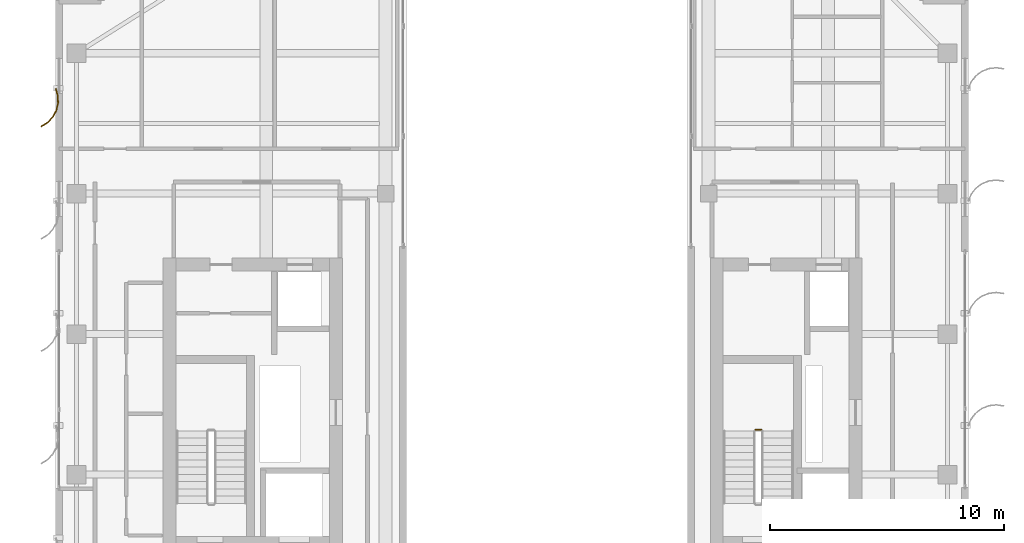
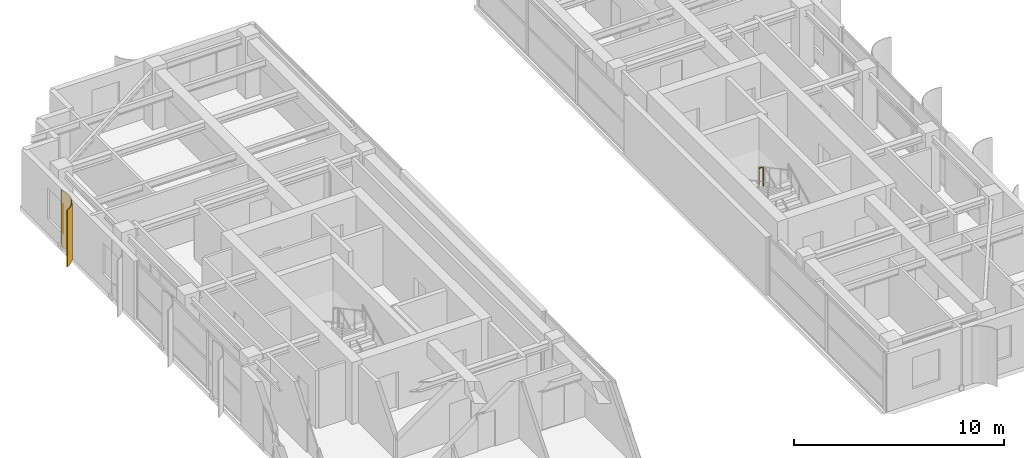
# One storey, part 23 of 24: 1 railing, 1 shading device.
"""IFC4 building model written with IfcOpenShell, lengths in metres."""

from ifc_helpers import new_model, si_unit, direction, frame, origin, origin_2d, place, context, subcontext, project, spatial, polyline, circle, outline, extrude, source, transform, mapped, material, layer, layer_set, type_object, element, save


model = new_model("IFC4")

# Units and contexts
model_context = context("Model", 3, precision=1e-05, world=origin(), true_north=direction((0.0, 1.0)))
body_context = subcontext(model_context, "Body", "Model", "MODEL_VIEW")
ifc_project = project(units=[si_unit("LENGTHUNIT", "METRE"), si_unit("AREAUNIT", "SQUARE_METRE"), si_unit("VOLUMEUNIT", "CUBIC_METRE"), si_unit("PLANEANGLEUNIT", "RADIAN"), si_unit("MASSUNIT", "GRAM", prefix="KILO")], contexts=[model_context])

# Site, building, storey
site_placement = place(None, origin())
site = spatial("IfcSite", under=ifc_project, at=site_placement, CompositionType="ELEMENT")
building_placement = place(site_placement, origin())
building = spatial("IfcBuilding", under=site, at=building_placement, Name="Khoralis Quay Care Tower", CompositionType="ELEMENT")
storey_placement = place(building_placement, frame((0.0, 0.0, 249.300048828125)))
storey = spatial("IfcBuildingStorey", under=building, at=storey_placement, Name="L65", CompositionType="ELEMENT", Elevation=249.300048828125)

# Railing
ifc_material_1 = material(Name="Brushed stainless steel", Category="steel")
railing_type = type_object("IfcRailingType", Name="RL-GUARD-1150", PredefinedType="GUARDRAIL", material=ifc_material_1)
railing_placement = place(storey_placement, frame((33.139892578125, 19.919921875, 1.800048828125)))
element("IfcRailing", 1, at=railing_placement, inside=storey, type_object=railing_type, Name="L65 ST-T2 stair guard 2", PredefinedType="GUARDRAIL", context=body_context, shape_type="SweptSolid", body=[
    extrude(circle(Radius=0.02392578125, at=origin_2d()), frame((0.0, 0.0, 1.1259765625), z_axis=(-1.0, 0.0, 0.0), x_axis=(0.0, -1.0, 0.0)), (0.0, 0.0, 1.0), 0.239990234375),
    extrude(circle(Radius=0.02099609375, at=origin_2d()), origin(), (0.0, 0.0, 1.0), 1.101806640625),
    extrude(circle(Radius=0.02099609375, at=origin_2d()), frame((-0.239990234375, 0.0, 0.0)), (0.0, 0.0, 1.0), 1.101806640625),
])

# Shading device
ifc_material_2 = material(Name="Brushed pale anodised aluminium", Category="aluminium")
ifc_layer = layer(ifc_material_2, 0.044921875)
ifc_layer_set = layer_set([ifc_layer], Name="Brushed pale anodised aluminium")
shading_device_type = type_object("IfcShadingDeviceType", Name="SHD-FIN-1250", PredefinedType="USERDEFINED", material=ifc_layer_set)
shared_shape = source(origin(), body_context, "Body", "SweptSolid", [
    extrude(outline(polyline([(0.0, 0.0), (-0.0927734375, 0.31298828125), (-0.101318359375, 0.63916015625), (-0.025146484375, 0.956298828125), (0.130615234375, 1.2431640625), (0.355224609375, 1.479736328125), (0.633544921875, 1.650390625), (0.65185546875, 1.609130859375), (0.383544921875, 1.44482421875), (0.1669921875, 1.216796875), (0.01708984375, 0.940185546875), (-0.056396484375, 0.63427734375), (-0.04833984375, 0.31982421875), (0.041015625, 0.018310546875), (0.0, 0.0)])), origin(), (0.0, 0.0, 1.0), 3.300048828125),
])
shading_device_placement = place(storey_placement, frame((3.030029296875, 34.5, 0.02001953125), z_axis=(0.0, 0.0, 1.0), x_axis=(-1.0, 0.0, 0.0)))
element("IfcShadingDevice", 2, at=shading_device_placement, inside=storey, type_object=shading_device_type, Name="L65 Curved Solar Fin P1E7-01", ObjectType="FIN", PredefinedType="USERDEFINED", context=body_context, shape_type="MappedRepresentation", body=[
    mapped(shared_shape, transform((0.0, 0.0, 0.0), scale=1.0)),
])

save(model, "model.ifc")
